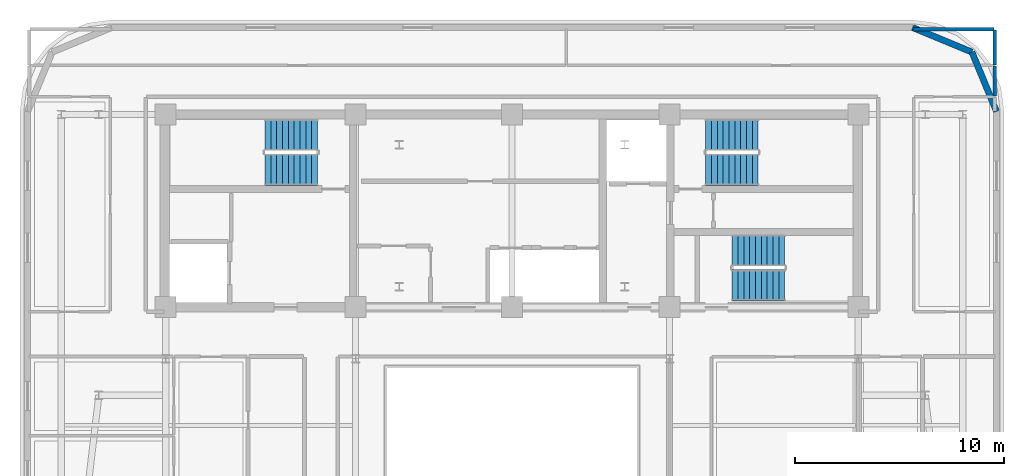
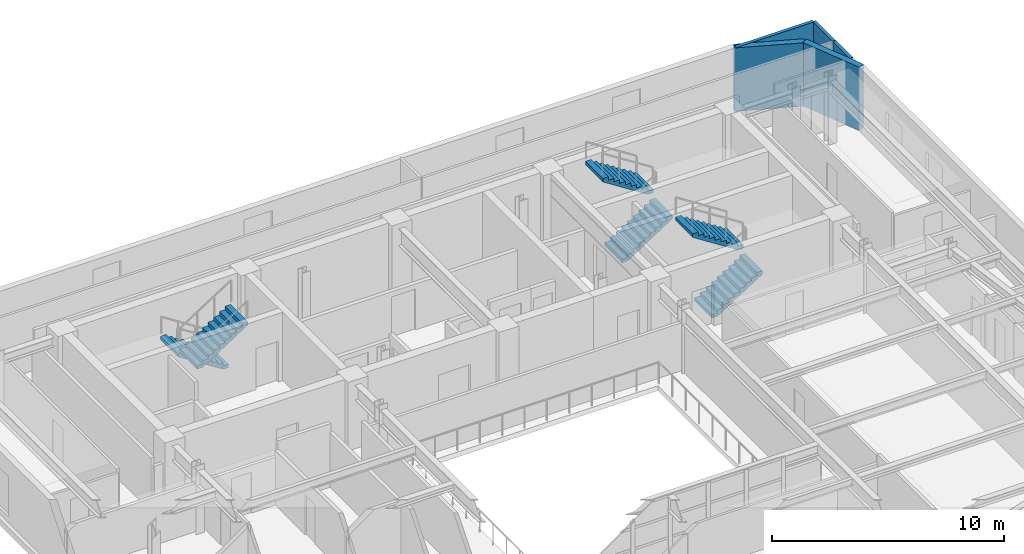
# One storey, part 10 of 14: 6 stair flights, 5 walls, 3 elements without a shape of their own.
"""IFC4 building model written with IfcOpenShell, lengths in metres."""

from ifc_helpers import new_model, si_unit, direction, frame, frame_2d, origin, place, context, subcontext, project, spatial, polyline, rectangle, outline, extrude, material, layer, layer_set, type_object, element, aggregate, save


model = new_model("IFC4")

# Units and contexts
model_context = context("Model", 3, precision=1e-05, world=origin(), true_north=direction((0.0, 1.0)))
body_context = subcontext(model_context, "Body", "Model", "MODEL_VIEW")
ifc_project = project(units=[si_unit("LENGTHUNIT", "METRE"), si_unit("AREAUNIT", "SQUARE_METRE"), si_unit("VOLUMEUNIT", "CUBIC_METRE"), si_unit("PLANEANGLEUNIT", "RADIAN"), si_unit("MASSUNIT", "GRAM", prefix="KILO")], contexts=[model_context])

# Site, building, storey
site_placement = place(None, origin())
site = spatial("IfcSite", under=ifc_project, at=site_placement, CompositionType="ELEMENT")
building_placement = place(site_placement, origin())
building = spatial("IfcBuilding", under=site, at=building_placement, Name="Zarnavel Station Tower", CompositionType="ELEMENT")
storey_placement = place(building_placement, frame((0.0, 0.0, 214.800048828125)))
storey = spatial("IfcBuildingStorey", under=building, at=storey_placement, Name="L58", CompositionType="ELEMENT", Elevation=214.800048828125)

# Walls
ifc_material_1 = material(Name="Precast concrete C45/55 (Dark Basalt Finish)", Category="masonry")
ifc_layer_1 = layer(ifc_material_1, 0.300048828125)
ifc_layer_set_1 = layer_set([ifc_layer_1], Name="EW_BASALT_300")
wall_type_1 = type_object("IfcWallType", Name="EW_BASALT_300", PredefinedType="SOLIDWALL", material=ifc_layer_set_1)
for number, where, z_axis, x_axis, name in (
    (1, (50.842529296875, 40.04248046875, 0.0), (0.0, 0.0, 1.0), (0.382704529509, -0.923870793506, 0.0), "L58 Exterior Basalt Masonry Frame Wall 04"),
    (2, (48.0, 41.219970703125, 0.0), (0.0, 0.0, 1.0), (0.923870793506, -0.382704529509, 0.0), "L58 Exterior Basalt Masonry Frame Wall 05"),
):
    element("IfcWall", number, at=place(storey_placement, frame(where, z_axis=z_axis, x_axis=x_axis)), inside=storey, type_object=wall_type_1, Name=name, PredefinedType="SOLIDWALL", context=body_context, shape_type="SweptSolid", body=[
        extrude(rectangle(XDim=3.07666015625, YDim=0.300048828125, at=frame_2d((1.538330078125, 0.0))), origin(), (0.0, 0.0, 1.0), 3.33984375),
    ])
ifc_material_2 = material(Name="Gypsum Twin-Stud Acoustic Fire Partition", Category="concrete")
ifc_layer_2 = layer(ifc_material_2, 0.159912109375)
ifc_layer_set_2 = layer_set([ifc_layer_2], Name="PT_DEMISE_160")
wall_type_2 = type_object("IfcWallType", Name="PT_DEMISE_160", PredefinedType="PARTITIONING", material=ifc_layer_set_2)
wall_1_placement = place(storey_placement, frame((51.93994140625, 37.929931640625, 0.0), z_axis=(0.0, 0.0, 1.0), x_axis=(0.0, 1.0, 0.0)))
element("IfcWall", 3, at=wall_1_placement, inside=storey, type_object=wall_type_2, Name="L58 Enclosure Wall COR-N", PredefinedType="PARTITIONING", context=body_context, shape_type="SweptSolid", body=[
    extrude(rectangle(XDim=1.440185546875, YDim=0.159912109375, at=frame_2d((0.72021484375, 0.0))), origin(), (0.0, 0.0, 1.0), 3.33984375),
])
wall_2_placement = place(storey_placement, frame((48.030029296875, 41.139892578125, 0.0), z_axis=(0.0, 0.0, 1.0), x_axis=(1.0, 0.0, 0.0)))
element("IfcWall", 4, at=wall_2_placement, inside=storey, type_object=wall_type_2, Name="L58 Enclosure Wall NBRD", PredefinedType="PARTITIONING", context=body_context, shape_type="SweptSolid", body=[
    extrude(rectangle(XDim=3.8798828125, YDim=0.159912109375, at=frame_2d((1.93994140625, 0.0))), origin(), (0.0, 0.0, 1.0), 3.33984375),
])
wall_3_placement = place(storey_placement, frame((51.93994140625, 39.429931640625, 0.0), z_axis=(0.0, 0.0, 1.0), x_axis=(0.0, 1.0, 0.0)))
element("IfcWall", 5, at=wall_3_placement, inside=storey, type_object=wall_type_2, Name="L58 Enclosure Wall NBRD", PredefinedType="PARTITIONING", context=body_context, shape_type="SweptSolid", body=[
    extrude(rectangle(XDim=1.68017578125, YDim=0.159912109375, at=frame_2d((0.840087890625, 0.0))), origin(), (0.0, 0.0, 1.0), 3.33984375),
])

# Stair, stair flights
ifc_material_3 = material(Name="Concrete C45/55", Category="concrete")
stair_type = type_object("IfcStairType", Name="ST_CORE_150", PredefinedType="HALF_TURN_STAIR", material=ifc_material_3)
stair_1_placement = place(storey_placement, origin())
stair_1 = element("IfcStair", 6, at=stair_1_placement, inside=storey, type_object=stair_type, Name="L58 Core Exit Stair ST1", PredefinedType="HALF_TURN_STAIR")
ifc_material_4 = material(Name="Concrete C45/55", Category="concrete")
ifc_layer_3 = layer(ifc_material_4, 0.179931640625)
ifc_layer_set_3 = layer_set([ifc_layer_3], Name="ST_CORE_150_FLT")
stair_flight_type = type_object("IfcStairFlightType", Name="ST_CORE_150_FLT", PredefinedType="STRAIGHT", material=ifc_layer_set_3)
stair_flight_1_placement = place(storey_placement, frame((19.47998046875, 36.070068359375, 0.0), z_axis=(0.0, 0.0, 1.0), x_axis=(-1.0, 0.0, 0.0)))
stair_flight_1 = element("IfcStairFlight", 7, at=stair_flight_1_placement, type_object=stair_flight_type, Name="ST1 flight 1", NumberOfRisers=10, NumberOfTreads=9, PredefinedType="STRAIGHT", RiserHeight=0.18, TreadLength=0.28, context=body_context, shape_type="SweptSolid", body=[
    extrude(outline(polyline([(0.0, 0.0), (0.0, 0.179931640625), (0.280029296875, 0.179931640625), (0.280029296875, 0.360107421875), (0.56005859375, 0.360107421875), (0.56005859375, 0.5400390625), (0.840087890625, 0.5400390625), (0.840087890625, 0.719970703125), (1.1201171875, 0.719970703125), (1.1201171875, 0.89990234375), (1.39990234375, 0.89990234375), (1.39990234375, 1.080078125), (1.679931640625, 1.080078125), (1.679931640625, 1.260009765625), (1.9599609375, 1.260009765625), (1.9599609375, 1.43994140625), (2.239990234375, 1.43994140625), (2.239990234375, 1.6201171875), (2.52001953125, 1.6201171875), (2.52001953125, 1.800048828125), (2.52001953125, 1.44189453125), (0.277099609375, 0.0), (0.0, 0.0)])), frame((0.0, 0.75, 0.0), z_axis=(0.0, -1.0, 0.0), x_axis=(1.0, 0.0, 0.0)), (0.0, 0.0, 1.0), 1.5),
])
stair_flight_2_placement = place(storey_placement, frame((16.9599609375, 34.409912109375, 1.800048828125), z_axis=(0.0, 0.0, 1.0), x_axis=(1.0, 0.0, 0.0)))
stair_flight_2 = element("IfcStairFlight", 8, at=stair_flight_2_placement, type_object=stair_flight_type, Name="ST1 flight 2", NumberOfRisers=10, NumberOfTreads=9, PredefinedType="STRAIGHT", RiserHeight=0.18, TreadLength=0.28, context=body_context, shape_type="SweptSolid", body=[
    extrude(outline(polyline([(0.0, 0.0), (0.0, 0.179931640625), (0.280029296875, 0.179931640625), (0.280029296875, 0.360107421875), (0.56005859375, 0.360107421875), (0.56005859375, 0.5400390625), (0.840087890625, 0.5400390625), (0.840087890625, 0.719970703125), (1.1201171875, 0.719970703125), (1.1201171875, 0.89990234375), (1.39990234375, 0.89990234375), (1.39990234375, 1.080078125), (1.679931640625, 1.080078125), (1.679931640625, 1.260009765625), (1.9599609375, 1.260009765625), (1.9599609375, 1.43994140625), (2.239990234375, 1.43994140625), (2.239990234375, 1.6201171875), (2.52001953125, 1.6201171875), (2.52001953125, 1.800048828125), (2.52001953125, 1.44189453125), (0.277099609375, 0.0), (0.0, 0.0)])), frame((0.0, 0.75, 0.0), z_axis=(0.0, -1.0, 0.0), x_axis=(1.0, 0.0, 0.0)), (0.0, 0.0, 1.0), 1.5),
])
aggregate(stair_1, [stair_flight_1, stair_flight_2])

stair_2_placement = place(storey_placement, origin())
stair_2 = element("IfcStair", 9, at=stair_2_placement, inside=storey, type_object=stair_type, Name="L58 Core Exit Stair ST2", PredefinedType="HALF_TURN_STAIR")
stair_flight_3_placement = place(storey_placement, frame((38.080078125, 34.409912109375, 0.0), z_axis=(0.0, 0.0, 1.0), x_axis=(1.0, 0.0, 0.0)))
stair_flight_3 = element("IfcStairFlight", 10, at=stair_flight_3_placement, type_object=stair_flight_type, Name="ST2 flight 1", NumberOfRisers=10, NumberOfTreads=9, PredefinedType="STRAIGHT", RiserHeight=0.18, TreadLength=0.28, context=body_context, shape_type="SweptSolid", body=[
    extrude(outline(polyline([(0.0, 0.0), (0.0, 0.179931640625), (0.280029296875, 0.179931640625), (0.280029296875, 0.360107421875), (0.56005859375, 0.360107421875), (0.56005859375, 0.5400390625), (0.840087890625, 0.5400390625), (0.840087890625, 0.719970703125), (1.1201171875, 0.719970703125), (1.1201171875, 0.89990234375), (1.39990234375, 0.89990234375), (1.39990234375, 1.080078125), (1.679931640625, 1.080078125), (1.679931640625, 1.260009765625), (1.9599609375, 1.260009765625), (1.9599609375, 1.43994140625), (2.239990234375, 1.43994140625), (2.239990234375, 1.6201171875), (2.52001953125, 1.6201171875), (2.52001953125, 1.800048828125), (2.52001953125, 1.44189453125), (0.277099609375, 0.0), (0.0, 0.0)])), frame((0.0, 0.75, 0.0), z_axis=(0.0, -1.0, 0.0), x_axis=(1.0, 0.0, 0.0)), (0.0, 0.0, 1.0), 1.5),
])
stair_flight_4_placement = place(storey_placement, frame((40.60009765625, 36.070068359375, 1.800048828125), z_axis=(0.0, 0.0, 1.0), x_axis=(-1.0, 0.0, 0.0)))
stair_flight_4 = element("IfcStairFlight", 11, at=stair_flight_4_placement, type_object=stair_flight_type, Name="ST2 flight 2", NumberOfRisers=10, NumberOfTreads=9, PredefinedType="STRAIGHT", RiserHeight=0.18, TreadLength=0.28, context=body_context, shape_type="SweptSolid", body=[
    extrude(outline(polyline([(0.0, 0.0), (0.0, 0.179931640625), (0.280029296875, 0.179931640625), (0.280029296875, 0.360107421875), (0.56005859375, 0.360107421875), (0.56005859375, 0.5400390625), (0.840087890625, 0.5400390625), (0.840087890625, 0.719970703125), (1.1201171875, 0.719970703125), (1.1201171875, 0.89990234375), (1.39990234375, 0.89990234375), (1.39990234375, 1.080078125), (1.679931640625, 1.080078125), (1.679931640625, 1.260009765625), (1.9599609375, 1.260009765625), (1.9599609375, 1.43994140625), (2.239990234375, 1.43994140625), (2.239990234375, 1.6201171875), (2.52001953125, 1.6201171875), (2.52001953125, 1.800048828125), (2.52001953125, 1.44189453125), (0.277099609375, 0.0), (0.0, 0.0)])), frame((0.0, 0.75, 0.0), z_axis=(0.0, -1.0, 0.0), x_axis=(1.0, 0.0, 0.0)), (0.0, 0.0, 1.0), 1.5),
])
aggregate(stair_2, [stair_flight_3, stair_flight_4])

stair_3_placement = place(storey_placement, origin())
stair_3 = element("IfcStair", 12, at=stair_3_placement, inside=storey, type_object=stair_type, Name="L58 Core Exit Stair ST3", PredefinedType="HALF_TURN_STAIR")
stair_flight_5_placement = place(storey_placement, frame((39.35009765625, 28.8701171875, 0.0), z_axis=(0.0, 0.0, 1.0), x_axis=(1.0, 0.0, 0.0)))
stair_flight_5 = element("IfcStairFlight", 13, at=stair_flight_5_placement, type_object=stair_flight_type, Name="ST3 flight 1", NumberOfRisers=10, NumberOfTreads=9, PredefinedType="STRAIGHT", RiserHeight=0.18, TreadLength=0.28, context=body_context, shape_type="SweptSolid", body=[
    extrude(outline(polyline([(0.0, 0.0), (0.0, 0.179931640625), (0.280029296875, 0.179931640625), (0.280029296875, 0.360107421875), (0.56005859375, 0.360107421875), (0.56005859375, 0.5400390625), (0.840087890625, 0.5400390625), (0.840087890625, 0.719970703125), (1.1201171875, 0.719970703125), (1.1201171875, 0.89990234375), (1.39990234375, 0.89990234375), (1.39990234375, 1.080078125), (1.679931640625, 1.080078125), (1.679931640625, 1.260009765625), (1.9599609375, 1.260009765625), (1.9599609375, 1.43994140625), (2.239990234375, 1.43994140625), (2.239990234375, 1.6201171875), (2.52001953125, 1.6201171875), (2.52001953125, 1.800048828125), (2.52001953125, 1.44189453125), (0.277099609375, 0.0), (0.0, 0.0)])), frame((0.0, 0.75, 0.0), z_axis=(0.0, -1.0, 0.0), x_axis=(1.0, 0.0, 0.0)), (0.0, 0.0, 1.0), 1.5),
])
stair_flight_6_placement = place(storey_placement, frame((41.8701171875, 30.530029296875, 1.800048828125), z_axis=(0.0, 0.0, 1.0), x_axis=(-1.0, 0.0, 0.0)))
stair_flight_6 = element("IfcStairFlight", 14, at=stair_flight_6_placement, type_object=stair_flight_type, Name="ST3 flight 2", NumberOfRisers=10, NumberOfTreads=9, PredefinedType="STRAIGHT", RiserHeight=0.18, TreadLength=0.28, context=body_context, shape_type="SweptSolid", body=[
    extrude(outline(polyline([(0.0, 0.0), (0.0, 0.179931640625), (0.280029296875, 0.179931640625), (0.280029296875, 0.360107421875), (0.56005859375, 0.360107421875), (0.56005859375, 0.5400390625), (0.840087890625, 0.5400390625), (0.840087890625, 0.719970703125), (1.1201171875, 0.719970703125), (1.1201171875, 0.89990234375), (1.39990234375, 0.89990234375), (1.39990234375, 1.080078125), (1.679931640625, 1.080078125), (1.679931640625, 1.260009765625), (1.9599609375, 1.260009765625), (1.9599609375, 1.43994140625), (2.239990234375, 1.43994140625), (2.239990234375, 1.6201171875), (2.52001953125, 1.6201171875), (2.52001953125, 1.800048828125), (2.52001953125, 1.44189453125), (0.277099609375, 0.0), (0.0, 0.0)])), frame((0.0, 0.75, 0.0), z_axis=(0.0, -1.0, 0.0), x_axis=(1.0, 0.0, 0.0)), (0.0, 0.0, 1.0), 1.5),
])
aggregate(stair_3, [stair_flight_5, stair_flight_6])

save(model, "model.ifc")
